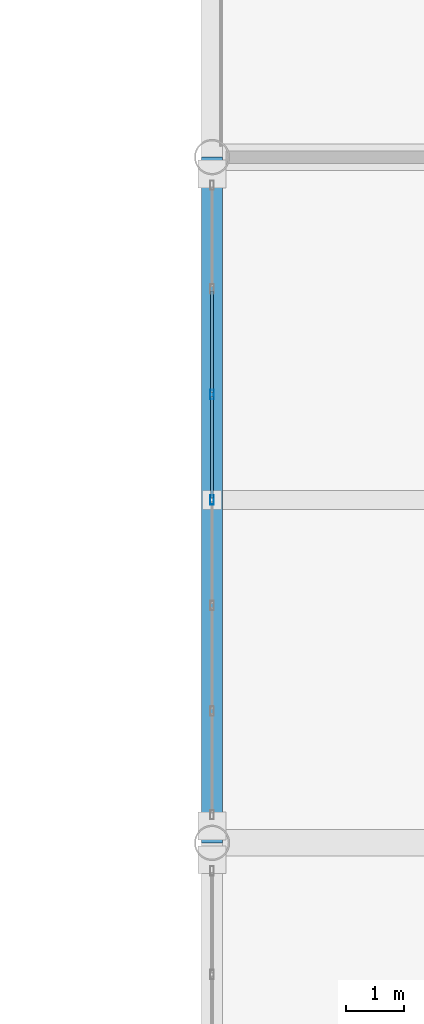
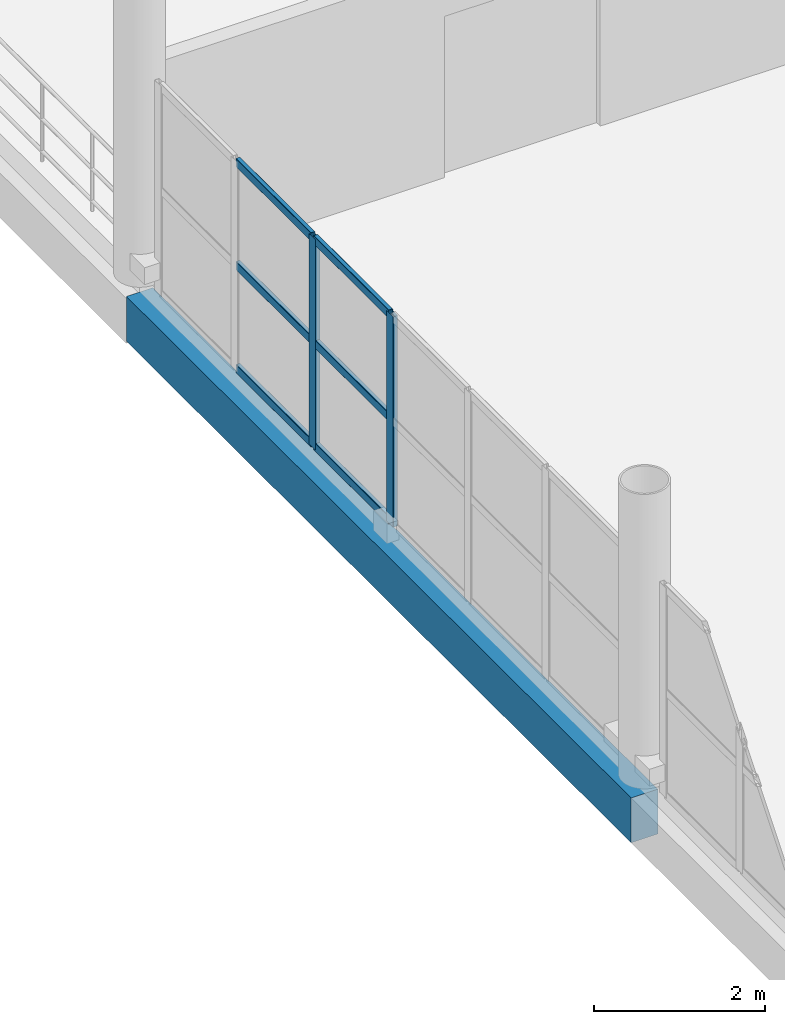
# One storey, part 72 of 157: 8 members, 1 beam, 1 element without a shape of its own.
"""IFC4 building model written with IfcOpenShell, lengths in metres."""

from ifc_helpers import new_model, si_unit, direction, frame, origin, origin_2d, place, context, subcontext, project, spatial, rectangle, hollow_rectangle, extrude, material, material_profile, profile_set, type_object, element, aggregate, save


model = new_model("IFC4")

# Units and contexts
model_context = context("Model", 3, precision=1e-05, world=origin(), true_north=direction((0.0, 1.0)))
body_context = subcontext(model_context, "Body", "Model", "MODEL_VIEW")
ifc_project = project(units=[si_unit("LENGTHUNIT", "METRE"), si_unit("AREAUNIT", "SQUARE_METRE"), si_unit("VOLUMEUNIT", "CUBIC_METRE"), si_unit("PLANEANGLEUNIT", "RADIAN"), si_unit("MASSUNIT", "GRAM", prefix="KILO")], contexts=[model_context])

# Site, building, storey
site_placement = place(None, origin())
site = spatial("IfcSite", under=ifc_project, at=site_placement, CompositionType="ELEMENT")
building_placement = place(site_placement, origin())
building = spatial("IfcBuilding", under=site, at=building_placement, Name="Brelvane Convention Centre", CompositionType="ELEMENT")
storey_placement = place(building_placement, frame((0.0, 0.0, 10.800048828125)))
storey = spatial("IfcBuildingStorey", under=building, at=storey_placement, Name="L02", CompositionType="ELEMENT", Elevation=10.800048828125)

# Curtain wall, members
ifc_material_1 = material(Name="Anodised Aluminium Alloy 6063-T6", Category="aluminium")
curtain_wall_type = type_object("IfcCurtainWallType", Name="Curtain Wall CW-CONC", PredefinedType="USERDEFINED", material=ifc_material_1)
curtain_wall_placement = place(storey_placement, origin())
curtain_wall = element("IfcCurtainWall", 1, at=curtain_wall_placement, inside=storey, type_object=curtain_wall_type, Name="Curtain Wall CW-CONC L02-GAL-ATRIUM-W-4", ObjectType="UNITISED", PredefinedType="USERDEFINED")
ifc_material_2 = material(Name="Anodised Aluminium Alloy 6063-T6", Category="aluminium")
ifc_material_profile_1 = material_profile(ifc_material_2, hollow_rectangle(XDim=0.06494140625, YDim=0.159912109375, WallThickness=0.00390625, InnerFilletRadius=0.00390625, OuterFilletRadius=0.008056640625, at=origin_2d()), Name="ALU-M 160x65x4.0")
ifc_profile_set_1 = profile_set([ifc_material_profile_1], Name="Anodised Aluminium Alloy 6063-T6")
member_type_1 = type_object("IfcMemberType", Name="Curtain Mullion CW-M3", PredefinedType="MULLION", material=ifc_profile_set_1)
member_1_placement = place(storey_placement, frame((142.800048828125, 81.89990234375, 0.0), z_axis=(0.0, 0.0, 1.0), x_axis=(-1.0, 0.0, 0.0)))
member_1 = element("IfcMember", 2, at=member_1_placement, type_object=member_type_1, Name="CW-CONC mullion 4", PredefinedType="MULLION", context=body_context, shape_type="SweptSolid", body=[
    extrude(hollow_rectangle(XDim=0.06494140625, YDim=0.159912109375, WallThickness=0.00390625, InnerFilletRadius=0.00390625, OuterFilletRadius=0.008056640625, at=origin_2d()), origin(), (0.0, 0.0, 1.0), 3.0),
])
member_2_placement = place(storey_placement, frame((142.800048828125, 83.716552734375, 0.0), z_axis=(0.0, 0.0, 1.0), x_axis=(-1.0, 0.0, 0.0)))
member_2 = element("IfcMember", 3, at=member_2_placement, type_object=member_type_1, Name="CW-CONC mullion 5", PredefinedType="MULLION", context=body_context, shape_type="SweptSolid", body=[
    extrude(hollow_rectangle(XDim=0.06494140625, YDim=0.159912109375, WallThickness=0.00390625, InnerFilletRadius=0.00390625, OuterFilletRadius=0.008056640625, at=origin_2d()), origin(), (0.0, 0.0, 1.0), 3.0),
])
ifc_material_3 = material(Name="Anodised Aluminium Alloy 6063-T6", Category="aluminium")
ifc_material_profile_2 = material_profile(ifc_material_3, hollow_rectangle(XDim=0.06005859375, YDim=0.1201171875, WallThickness=0.00390625, InnerFilletRadius=0.00390625, OuterFilletRadius=0.008056640625, at=origin_2d()), Name="ALU-T 120x60x4.0")
ifc_profile_set_2 = profile_set([ifc_material_profile_2], Name="Anodised Aluminium Alloy 6063-T6")
member_type_2 = type_object("IfcMemberType", Name="Curtain Transom CW-T3", PredefinedType="USERDEFINED", material=ifc_profile_set_2)
member_3_placement = place(storey_placement, frame((142.800048828125, 81.9326171875, 0.030029296875), z_axis=(0.0, 1.0, 0.0), x_axis=(-1.0, 0.0, 0.0)))
member_3 = element("IfcMember", 4, at=member_3_placement, type_object=member_type_2, Name="CW-CONC transom 4.1", ObjectType="TRANSOM", PredefinedType="USERDEFINED", context=body_context, shape_type="SweptSolid", body=[
    extrude(hollow_rectangle(XDim=0.06005859375, YDim=0.1201171875, WallThickness=0.00390625, InnerFilletRadius=0.00390625, OuterFilletRadius=0.008056640625, at=origin_2d()), origin(), (0.0, 0.0, 1.0), 1.75146484375),
])
member_4_placement = place(storey_placement, frame((142.800048828125, 81.9326171875, 1.5), z_axis=(0.0, 1.0, 0.0), x_axis=(-1.0, 0.0, 0.0)))
member_4 = element("IfcMember", 5, at=member_4_placement, type_object=member_type_2, Name="CW-CONC transom 4.2", ObjectType="TRANSOM", PredefinedType="USERDEFINED", context=body_context, shape_type="SweptSolid", body=[
    extrude(hollow_rectangle(XDim=0.06005859375, YDim=0.1201171875, WallThickness=0.00390625, InnerFilletRadius=0.00390625, OuterFilletRadius=0.008056640625, at=origin_2d()), origin(), (0.0, 0.0, 1.0), 1.75146484375),
])
member_5_placement = place(storey_placement, frame((142.800048828125, 81.9326171875, 2.969970703125), z_axis=(0.0, 1.0, 0.0), x_axis=(-1.0, 0.0, 0.0)))
member_5 = element("IfcMember", 6, at=member_5_placement, type_object=member_type_2, Name="CW-CONC transom 4.3", ObjectType="TRANSOM", PredefinedType="USERDEFINED", context=body_context, shape_type="SweptSolid", body=[
    extrude(hollow_rectangle(XDim=0.06005859375, YDim=0.1201171875, WallThickness=0.00390625, InnerFilletRadius=0.00390625, OuterFilletRadius=0.008056640625, at=origin_2d()), origin(), (0.0, 0.0, 1.0), 1.75146484375),
])
member_6_placement = place(storey_placement, frame((142.800048828125, 83.749267578125, 0.030029296875), z_axis=(0.0, 1.0, 0.0), x_axis=(-1.0, 0.0, 0.0)))
member_6 = element("IfcMember", 7, at=member_6_placement, type_object=member_type_2, Name="CW-CONC transom 5.1", ObjectType="TRANSOM", PredefinedType="USERDEFINED", context=body_context, shape_type="SweptSolid", body=[
    extrude(hollow_rectangle(XDim=0.06005859375, YDim=0.1201171875, WallThickness=0.00390625, InnerFilletRadius=0.00390625, OuterFilletRadius=0.008056640625, at=origin_2d()), origin(), (0.0, 0.0, 1.0), 1.75146484375),
])
member_7_placement = place(storey_placement, frame((142.800048828125, 83.749267578125, 1.5), z_axis=(0.0, 1.0, 0.0), x_axis=(-1.0, 0.0, 0.0)))
member_7 = element("IfcMember", 8, at=member_7_placement, type_object=member_type_2, Name="CW-CONC transom 5.2", ObjectType="TRANSOM", PredefinedType="USERDEFINED", context=body_context, shape_type="SweptSolid", body=[
    extrude(hollow_rectangle(XDim=0.06005859375, YDim=0.1201171875, WallThickness=0.00390625, InnerFilletRadius=0.00390625, OuterFilletRadius=0.008056640625, at=origin_2d()), origin(), (0.0, 0.0, 1.0), 1.75146484375),
])
member_8_placement = place(storey_placement, frame((142.800048828125, 83.749267578125, 2.969970703125), z_axis=(0.0, 1.0, 0.0), x_axis=(-1.0, 0.0, 0.0)))
member_8 = element("IfcMember", 9, at=member_8_placement, type_object=member_type_2, Name="CW-CONC transom 5.3", ObjectType="TRANSOM", PredefinedType="USERDEFINED", context=body_context, shape_type="SweptSolid", body=[
    extrude(hollow_rectangle(XDim=0.06005859375, YDim=0.1201171875, WallThickness=0.00390625, InnerFilletRadius=0.00390625, OuterFilletRadius=0.008056640625, at=origin_2d()), origin(), (0.0, 0.0, 1.0), 1.75146484375),
])
aggregate(curtain_wall, [member_1, member_2, member_3, member_4, member_5, member_6, member_7, member_8])

# Beam
ifc_material_4 = material(Name="Concrete M40", Category="concrete")
ifc_material_profile_3 = material_profile(ifc_material_4, rectangle(XDim=0.360107421875, YDim=0.639892578125, at=origin_2d()), Name="RC 360x640")
ifc_profile_set_3 = profile_set([ifc_material_profile_3], Name="Concrete M40")
beam_type = type_object("IfcBeamType", Name="RC Spandrel SP-RC3 (RC 360x640)", PredefinedType="SPANDREL", material=ifc_profile_set_3)
beam_placement = place(storey_placement, frame((142.800048828125, 76.0, -0.60009765625), z_axis=(0.0, 1.0, 0.0), x_axis=(-1.0, 0.0, 0.0)))
element("IfcBeam", 10, at=beam_placement, inside=storey, type_object=beam_type, Name="L02 Girder 15/H-J", PredefinedType="SPANDREL", context=body_context, shape_type="SweptSolid", body=[
    extrude(rectangle(XDim=0.360107421875, YDim=0.639892578125, at=origin_2d()), origin(), (0.0, 0.0, 1.0), 11.800048828125),
])

save(model, "model.ifc")
